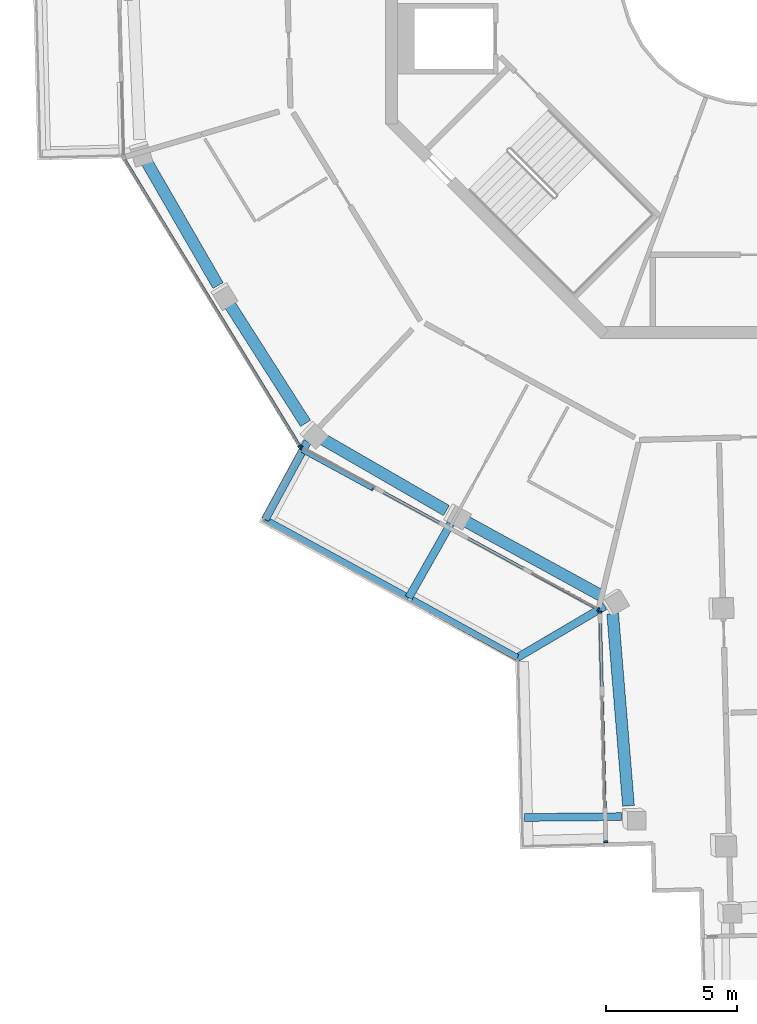
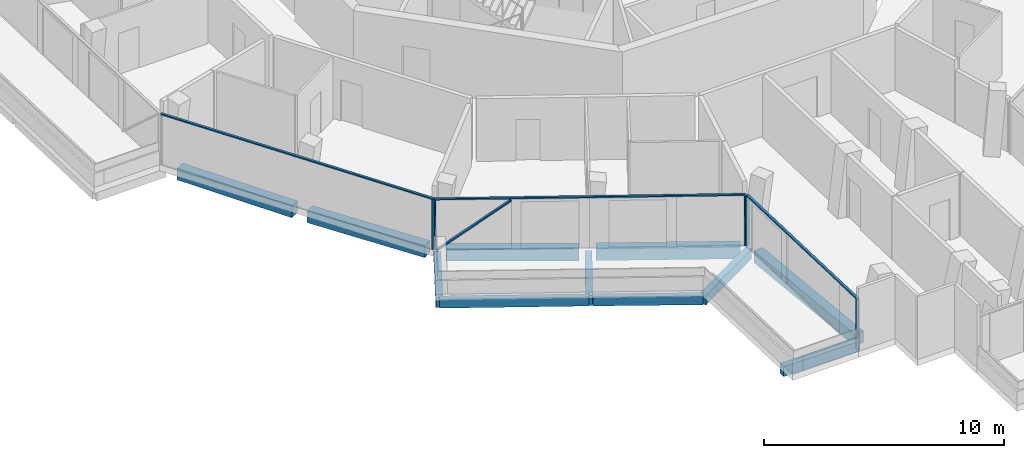
# One storey, part 2 of 26: 11 beams, 9 members, 3 elements without a shape of their own.
"""IFC4 building model written with IfcOpenShell, lengths in metres."""

from ifc_helpers import new_model, si_unit, direction, frame, origin, origin_2d, place, context, subcontext, project, spatial, rectangle, extrude, material, layer, layer_set, material_profile, profile_set, type_object, element, aggregate, save


model = new_model("IFC4")

# Units and contexts
model_context = context("Model", 3, precision=1e-05, world=origin(), true_north=direction((0.0, 1.0)))
body_context = subcontext(model_context, "Body", "Model", "MODEL_VIEW")
ifc_project = project(units=[si_unit("LENGTHUNIT", "METRE"), si_unit("AREAUNIT", "SQUARE_METRE"), si_unit("VOLUMEUNIT", "CUBIC_METRE"), si_unit("PLANEANGLEUNIT", "RADIAN"), si_unit("MASSUNIT", "GRAM", prefix="KILO")], contexts=[model_context])

# Site, building, storey
site_placement = place(None, origin())
site = spatial("IfcSite", under=ifc_project, at=site_placement, CompositionType="ELEMENT")
building_placement = place(site_placement, origin())
building = spatial("IfcBuilding", under=site, at=building_placement, Name="Verdalira Terraces Hotel", CompositionType="ELEMENT")
storey_placement = place(building_placement, frame((0.0, 0.0, 284.5)))
storey = spatial("IfcBuildingStorey", under=building, at=storey_placement, Name="L70", CompositionType="ELEMENT", Elevation=284.5)

# Beams
ifc_material_1 = material(Name="Concrete C40", Category="concrete")
ifc_material_profile_1 = material_profile(ifc_material_1, rectangle(XDim=0.300049, YDim=0.5, at=origin_2d()), Name="RC 300X500")
ifc_profile_set_1 = profile_set([ifc_material_profile_1], Name="Concrete C40")
beam_type_1 = type_object("IfcBeamType", Name="Balcony cantilever beam RC 300X500 C40", PredefinedType="BEAM", material=ifc_profile_set_1)
beam_1_placement = place(storey_placement, frame((-4.998047, -32.255859, -0.560059), z_axis=(-0.999964764, -0.008394733, 0.0), x_axis=(0.008394733, -0.999964764, 0.0)))
element("IfcBeam", 1, at=beam_1_placement, inside=storey, type_object=beam_type_1, Name="Balcony cantilever beam R13-1", PredefinedType="BEAM", context=body_context, shape_type="SweptSolid", body=[
    extrude(rectangle(XDim=0.300049, YDim=0.5, at=origin_2d()), origin(), (0.0, 0.0, 1.0), 3.693604),
])
beam_2_placement = place(storey_placement, frame((-16.978516, -17.938477, -0.560059), z_axis=(-0.478094101, -0.878308619, 0.0), x_axis=(0.878308619, -0.478094101, 0.0)))
element("IfcBeam", 2, at=beam_2_placement, inside=storey, type_object=beam_type_1, Name="Balcony cantilever beam R13-2", PredefinedType="BEAM", context=body_context, shape_type="SweptSolid", body=[
    extrude(rectangle(XDim=0.300049, YDim=0.5, at=origin_2d()), origin(), (0.0, 0.0, 1.0), 3.385742),
])
beam_3_placement = place(storey_placement, frame((-11.513672, -21.066895, -0.560059), z_axis=(-0.492698013, -0.870200361, 0.0), x_axis=(0.870200361, -0.492698013, 0.0)))
element("IfcBeam", 3, at=beam_3_placement, inside=storey, type_object=beam_type_1, Name="Balcony cantilever beam R13-3", PredefinedType="BEAM", context=body_context, shape_type="SweptSolid", body=[
    extrude(rectangle(XDim=0.300049, YDim=0.5, at=origin_2d()), origin(), (0.0, 0.0, 1.0), 3.250977),
])
beam_4_placement = place(storey_placement, frame((-5.634521, -24.221924, -0.560059), z_axis=(-0.86180444, -0.50724068, 0.0), x_axis=(0.50724068, -0.86180444, 0.0)))
element("IfcBeam", 4, at=beam_4_placement, inside=storey, type_object=beam_type_1, Name="Balcony cantilever beam R13-4", PredefinedType="BEAM", context=body_context, shape_type="SweptSolid", body=[
    extrude(rectangle(XDim=0.300049, YDim=0.5, at=origin_2d()), origin(), (0.0, 0.0, 1.0), 3.869629),
])
ifc_material_2 = material(Name="Concrete C40", Category="concrete")
ifc_material_profile_2 = material_profile(ifc_material_2, rectangle(XDim=0.25, YDim=0.449951, at=origin_2d()), Name="RC 250X450")
ifc_profile_set_2 = profile_set([ifc_material_profile_2], Name="Concrete C40")
beam_type_2 = type_object("IfcBeamType", Name="Balcony edge beam RC 250X450 C40", PredefinedType="BEAM", material=ifc_profile_set_2)
beam_5_placement = place(storey_placement, frame((-18.597168, -20.912109, -0.534912), z_axis=(0.878307851, -0.478095513, 0.0), x_axis=(0.478095513, 0.878307851, 0.0)))
element("IfcBeam", 5, at=beam_5_placement, inside=storey, type_object=beam_type_2, Name="Balcony edge beam R13-1", PredefinedType="BEAM", context=body_context, shape_type="SweptSolid", body=[
    extrude(rectangle(XDim=0.25, YDim=0.449951, at=origin_2d()), origin(), (0.0, 0.0, 1.0), 6.241211),
])
beam_6_placement = place(storey_placement, frame((-12.984131, -23.968506, -0.534912), z_axis=(0.875454969, -0.483299697, 0.0), x_axis=(0.483299697, 0.875454969, 0.0)))
element("IfcBeam", 6, at=beam_6_placement, inside=storey, type_object=beam_type_2, Name="Balcony edge beam R13-2", PredefinedType="BEAM", context=body_context, shape_type="SweptSolid", body=[
    extrude(rectangle(XDim=0.25, YDim=0.449951, at=origin_2d()), origin(), (0.0, 0.0, 1.0), 4.585693),
])

# Curtain wall, member
ifc_material_3 = material(Name="Clear glass", Category="glass")
ifc_layer_1 = layer(ifc_material_3, 0.14990234375)
ifc_layer_set_1 = layer_set([ifc_layer_1], Name="CW1 curtain wall")
curtain_wall_type_1 = type_object("IfcCurtainWallType", Name="CW1 curtain wall", PredefinedType="NOTDEFINED", material=ifc_layer_set_1)
curtain_wall_1_placement = place(storey_placement, origin())
curtain_wall_1 = element("IfcCurtainWall", 7, at=curtain_wall_1_placement, inside=storey, type_object=curtain_wall_type_1, Name="CW1 curtain wall L70 edge 12", PredefinedType="NOTDEFINED")
ifc_material_4 = material(Name="Terracotta frame", Category="masonry")
ifc_material_profile_3 = material_profile(ifc_material_4, rectangle(XDim=0.060059, YDim=0.149902, at=origin_2d()), Name="MU 60x150")
ifc_profile_set_3 = profile_set([ifc_material_profile_3], Name="Terracotta frame")
member_type_1 = type_object("IfcMemberType", Name="CW1 mullion 60x150", PredefinedType="MULLION", material=ifc_profile_set_3)
member_1_placement = place(storey_placement, frame((-17.279053, -18.100098, 0.0), z_axis=(0.0, 0.0, 1.0), x_axis=(0.521605396, -0.853186856, 0.0)))
member_1 = element("IfcMember", 8, at=member_1_placement, type_object=member_type_1, Name="CW1 mullion", PredefinedType="MULLION", context=body_context, shape_type="SweptSolid", body=[
    extrude(rectangle(XDim=0.060059, YDim=0.149902, at=origin_2d()), origin(), (0.0, 0.0, 1.0), 2.524902),
])

# Curtain wall, members
curtain_wall_2_placement = place(storey_placement, origin())
curtain_wall_2 = element("IfcCurtainWall", 9, at=curtain_wall_2_placement, inside=storey, type_object=curtain_wall_type_1, Name="CW1 curtain wall L70 edge 13", PredefinedType="NOTDEFINED")
member_2_placement = place(storey_placement, frame((-17.208984, -18.166748, 0.0), z_axis=(0.0, 0.0, 1.0), x_axis=(0.878316951, -0.478078794, 0.0)))
member_2 = element("IfcMember", 10, at=member_2_placement, type_object=member_type_1, Name="CW1 mullion", PredefinedType="MULLION", context=body_context, shape_type="SweptSolid", body=[
    extrude(rectangle(XDim=0.060059, YDim=0.149902, at=origin_2d()), origin(), (0.0, 0.0, 1.0), 2.524902),
])
member_3_placement = place(storey_placement, frame((-5.878906, -24.33374, 0.0), z_axis=(0.0, 0.0, 1.0), x_axis=(0.878316951, -0.478078794, 0.0)))
member_3 = element("IfcMember", 11, at=member_3_placement, type_object=member_type_1, Name="CW1 mullion", PredefinedType="MULLION", context=body_context, shape_type="SweptSolid", body=[
    extrude(rectangle(XDim=0.060059, YDim=0.149902, at=origin_2d()), origin(), (0.0, 0.0, 1.0), 2.524902),
])

# Member
ifc_material_5 = material(Name="Terracotta frame", Category="masonry")
ifc_material_profile_4 = material_profile(ifc_material_5, rectangle(XDim=0.110107, YDim=0.064941, at=origin_2d()), Name="TR 65x110")
ifc_profile_set_4 = profile_set([ifc_material_profile_4], Name="Terracotta frame")
member_type_2 = type_object("IfcMemberType", Name="CW1 transom 65x110", PredefinedType="USERDEFINED", material=ifc_profile_set_4)
member_4_placement = place(storey_placement, frame((-24.002441, -7.102783, 2.557617), z_axis=(0.52161434, -0.853181388, 0.0), x_axis=(0.853181388, 0.52161434, 0.0)))
member_4 = element("IfcMember", 12, at=member_4_placement, type_object=member_type_2, Name="CW1 transom", ObjectType="TRANSOM", PredefinedType="USERDEFINED", context=body_context, shape_type="SweptSolid", body=[
    extrude(rectangle(XDim=0.110107, YDim=0.064941, at=origin_2d()), origin(), (0.0, 0.0, 1.0), 12.919434),
])

aggregate(curtain_wall_1, [member_1, member_4])

member_5_placement = place(storey_placement, frame((-17.235352, -18.152344, 2.557617), z_axis=(0.878317114, -0.478078494, 0.0), x_axis=(0.478078494, 0.878317114, 0.0)))
member_5 = element("IfcMember", 13, at=member_5_placement, type_object=member_type_2, Name="CW1 transom", ObjectType="TRANSOM", PredefinedType="USERDEFINED", context=body_context, shape_type="SweptSolid", body=[
    extrude(rectangle(XDim=0.110107, YDim=0.064941, at=origin_2d()), origin(), (0.0, 0.0, 1.0), 12.959717),
])

# Curtain wall, members
ifc_material_6 = material(Name="Clear glass", Category="glass")
ifc_layer_2 = layer(ifc_material_6, 0.14990234375)
ifc_layer_set_2 = layer_set([ifc_layer_2], Name="CW2 curtain wall")
curtain_wall_type_2 = type_object("IfcCurtainWallType", Name="CW2 curtain wall", PredefinedType="NOTDEFINED", material=ifc_layer_set_2)
curtain_wall_3_placement = place(storey_placement, origin())
curtain_wall_3 = element("IfcCurtainWall", 14, at=curtain_wall_3_placement, inside=storey, type_object=curtain_wall_type_2, Name="CW2 curtain wall L70 edge 14", PredefinedType="NOTDEFINED")
ifc_material_7 = material(Name="Terracotta frame", Category="masonry")
ifc_material_profile_5 = material_profile(ifc_material_7, rectangle(XDim=0.070068, YDim=0.149902, at=origin_2d()), Name="MU 70x150")
ifc_profile_set_5 = profile_set([ifc_material_profile_5], Name="Terracotta frame")
member_type_3 = type_object("IfcMemberType", Name="CW2 mullion 70x150", PredefinedType="MULLION", material=ifc_profile_set_5)
member_6_placement = place(storey_placement, frame((-5.8125, -24.447021, 0.0), z_axis=(0.0, 0.0, 1.0), x_axis=(0.025130095, -0.999684189, 0.0)))
member_6 = element("IfcMember", 15, at=member_6_placement, type_object=member_type_3, Name="CW2 mullion", PredefinedType="MULLION", context=body_context, shape_type="SweptSolid", body=[
    extrude(rectangle(XDim=0.070068, YDim=0.149902, at=origin_2d()), origin(), (0.0, 0.0, 1.0), 2.524902),
])
member_7_placement = place(storey_placement, frame((-5.592041, -33.220215, 0.0), z_axis=(0.0, 0.0, 1.0), x_axis=(0.025130095, -0.999684189, 0.0)))
member_7 = element("IfcMember", 16, at=member_7_placement, type_object=member_type_3, Name="CW2 mullion", PredefinedType="MULLION", context=body_context, shape_type="SweptSolid", body=[
    extrude(rectangle(XDim=0.070068, YDim=0.149902, at=origin_2d()), origin(), (0.0, 0.0, 1.0), 2.524902),
])
ifc_material_8 = material(Name="Terracotta frame", Category="masonry")
ifc_material_profile_6 = material_profile(ifc_material_8, rectangle(XDim=0.11499, YDim=0.064941, at=origin_2d()), Name="TR 65x115")
ifc_profile_set_6 = profile_set([ifc_material_profile_6], Name="Terracotta frame")
member_type_4 = type_object("IfcMemberType", Name="CW2 transom 65x115", PredefinedType="USERDEFINED", material=ifc_profile_set_6)
member_8_placement = place(storey_placement, frame((-5.813477, -24.412109, 2.557617), z_axis=(0.025143204, -0.99968386, 0.0), x_axis=(0.99968386, 0.025143204, 0.0)))
member_8 = element("IfcMember", 17, at=member_8_placement, type_object=member_type_4, Name="CW2 transom", ObjectType="TRANSOM", PredefinedType="USERDEFINED", context=body_context, shape_type="SweptSolid", body=[
    extrude(rectangle(XDim=0.11499, YDim=0.064941, at=origin_2d()), origin(), (0.0, 0.0, 1.0), 8.845703),
])
aggregate(curtain_wall_3, [member_6, member_7, member_8])

# Member
ifc_material_9 = material(Name="Terracotta frame", Category="masonry")
ifc_material_profile_7 = material_profile(ifc_material_9, rectangle(XDim=0.149902, YDim=0.060059, at=origin_2d()), Name="GB 60x150")
ifc_profile_set_7 = profile_set([ifc_material_profile_7], Name="Terracotta frame")
member_type_5 = type_object("IfcMemberType", Name="Diagonal glazing bar 60x150", PredefinedType="USERDEFINED", material=ifc_profile_set_7)
member_9_placement = place(storey_placement, frame((-17.198242, -18.273926, 0.024658), z_axis=(0.685341942, -0.372987375, 0.625449311), x_axis=(0.478026658, 0.878345328, 0.0)))
member_9 = element("IfcMember", 18, at=member_9_placement, type_object=member_type_5, Name="Diagonal glazing bar", ObjectType="GLAZING BAR", PredefinedType="USERDEFINED", context=body_context, shape_type="SweptSolid", body=[
    extrude(rectangle(XDim=0.149902, YDim=0.060059, at=origin_2d()), origin(), (0.0, 0.0, 1.0), 3.958008),
])

aggregate(curtain_wall_2, [member_2, member_3, member_5, member_9])

# Beams
ifc_material_10 = material(Name="Concrete C40", Category="concrete")
ifc_material_profile_8 = material_profile(ifc_material_10, rectangle(XDim=0.449951, YDim=0.600098, at=origin_2d()), Name="RC 450X600")
ifc_profile_set_8 = profile_set([ifc_material_profile_8], Name="Concrete C40")
beam_type_3 = type_object("IfcBeamType", Name="Spandrel beam RC 450X600 C40", PredefinedType="SPANDREL", material=ifc_profile_set_8)
beam_7_placement = place(storey_placement, frame((-23.158691, -7.191895, -0.610107), z_axis=(0.49999921, -0.86602586, 0.0), x_axis=(0.86602586, 0.49999921, 0.0)))
element("IfcBeam", 19, at=beam_7_placement, inside=storey, type_object=beam_type_3, Name="Spandrel beam B06", PredefinedType="SPANDREL", context=body_context, shape_type="SweptSolid", body=[
    extrude(rectangle(XDim=0.449951, YDim=0.600098, at=origin_2d()), origin(), (0.0, 0.0, 1.0), 5.523438),
])
beam_8_placement = place(storey_placement, frame((-20.025635, -12.586426, -0.610107), z_axis=(0.537956572, -0.842972554, 0.0), x_axis=(0.842972554, 0.537956572, 0.0)))
element("IfcBeam", 20, at=beam_8_placement, inside=storey, type_object=beam_type_3, Name="Spandrel beam B07", PredefinedType="SPANDREL", context=body_context, shape_type="SweptSolid", body=[
    extrude(rectangle(XDim=0.449951, YDim=0.600098, at=origin_2d()), origin(), (0.0, 0.0, 1.0), 5.52124),
])
beam_9_placement = place(storey_placement, frame((-16.460205, -17.807617, -0.610107), z_axis=(0.866017771, -0.50001322, 0.0), x_axis=(0.50001322, 0.866017771, 0.0)))
element("IfcBeam", 21, at=beam_9_placement, inside=storey, type_object=beam_type_3, Name="Spandrel beam B08", PredefinedType="SPANDREL", context=body_context, shape_type="SweptSolid", body=[
    extrude(rectangle(XDim=0.449951, YDim=0.600098, at=origin_2d()), origin(), (0.0, 0.0, 1.0), 5.523682),
])
beam_10_placement = place(storey_placement, frame((-11.059814, -20.916504, -0.610107), z_axis=(0.87692064, -0.480635195, 0.0), x_axis=(0.480635195, 0.87692064, 0.0)))
element("IfcBeam", 22, at=beam_10_placement, inside=storey, type_object=beam_type_3, Name="Spandrel beam B09", PredefinedType="SPANDREL", context=body_context, shape_type="SweptSolid", body=[
    extrude(rectangle(XDim=0.449951, YDim=0.600098, at=origin_2d()), origin(), (0.0, 0.0, 1.0), 6.011719),
])
beam_11_placement = place(storey_placement, frame((-5.329102, -24.502441, -0.610107), z_axis=(0.081967421, -0.996635009, 0.0), x_axis=(0.996635009, 0.081967421, 0.0)))
element("IfcBeam", 23, at=beam_11_placement, inside=storey, type_object=beam_type_3, Name="Spandrel beam B10", PredefinedType="SPANDREL", context=body_context, shape_type="SweptSolid", body=[
    extrude(rectangle(XDim=0.449951, YDim=0.600098, at=origin_2d()), origin(), (0.0, 0.0, 1.0), 7.365967),
])

save(model, "model.ifc")
